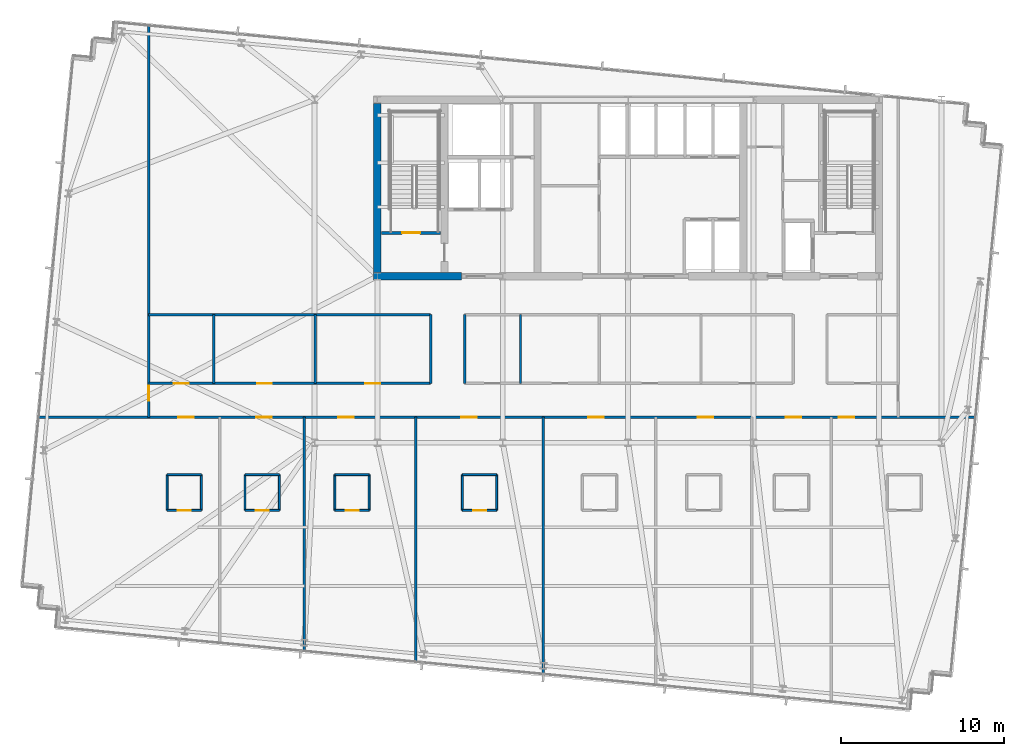
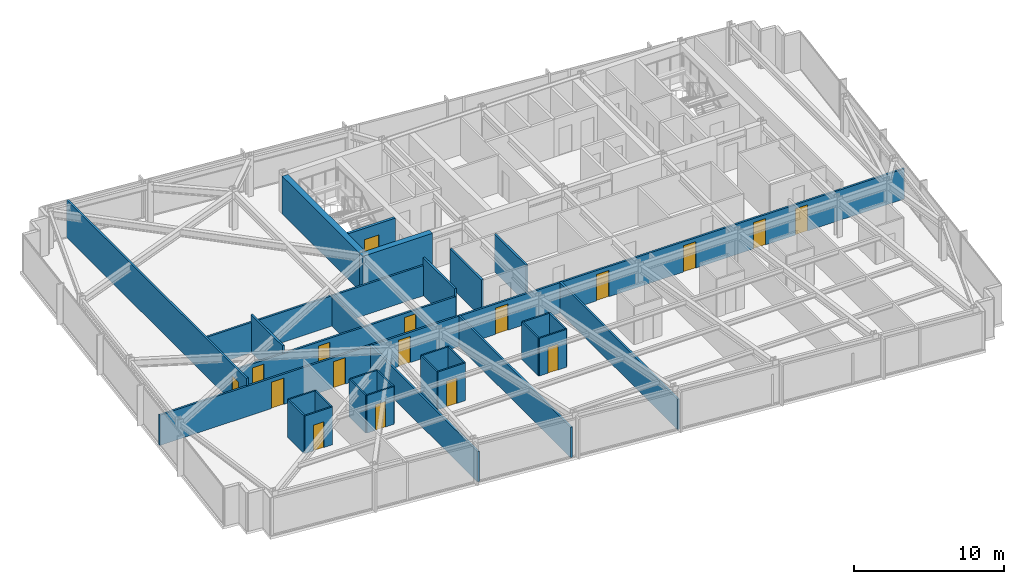
# One storey, part 29 of 37: 31 walls, 17 doors, 17 openings.
"""IFC4 building model written with IfcOpenShell, lengths in metres."""

from ifc_helpers import new_model, si_unit, direction, frame, frame_2d, origin, place, context, subcontext, project, spatial, rectangle, extrude, material, layer, layer_set, type_object, element, fill, save


model = new_model("IFC4")

# Units and contexts
model_context = context("Model", 3, precision=1e-05, world=origin(), true_north=direction((0.0, 1.0)))
body_context = subcontext(model_context, "Body", "Model", "MODEL_VIEW")
ifc_project = project(units=[si_unit("LENGTHUNIT", "METRE"), si_unit("AREAUNIT", "SQUARE_METRE"), si_unit("VOLUMEUNIT", "CUBIC_METRE"), si_unit("PLANEANGLEUNIT", "RADIAN"), si_unit("MASSUNIT", "GRAM", prefix="KILO")], contexts=[model_context])

# Site, building, storey
site_placement = place(None, origin())
site = spatial("IfcSite", under=ifc_project, at=site_placement, CompositionType="ELEMENT")
building_placement = place(site_placement, origin())
building = spatial("IfcBuilding", under=site, at=building_placement, Name="Yelkora Congress Tower", CompositionType="ELEMENT")
storey_placement = place(building_placement, frame((0.0, 0.0, 175.39990234375)))
storey = spatial("IfcBuildingStorey", under=building, at=storey_placement, Name="L48", CompositionType="ELEMENT", Elevation=175.39990234375)

# Walls
ifc_material_1 = material(Name="Concrete C60/75", Category="concrete")
ifc_layer_1 = layer(ifc_material_1, 0.449951171875)
ifc_layer_set_1 = layer_set([ifc_layer_1], Name="Concrete C60/75")
wall_type_1 = type_object("IfcWallType", Name="WALL-CORE-INT-450", PredefinedType="SHEAR", material=ifc_layer_set_1)
wall_1_placement = place(storey_placement, frame((22.81494140625, 35.39990234375, 0.0), z_axis=(0.0, 0.0, 1.0), x_axis=(1.0, 0.0, 0.0)))
element("IfcWall", 1, at=wall_1_placement, inside=storey, type_object=wall_type_1, Name="L48 Rear Core South-West Shear Wall", PredefinedType="SHEAR", context=body_context, shape_type="SweptSolid", body=[
    extrude(rectangle(XDim=5.385009765625, YDim=0.449951171875, at=frame_2d((2.6923828125, 0.0))), origin(), (0.0, 0.0, 1.0), 3.080078125),
])
wall_2_placement = place(storey_placement, frame((23.0400390625, 35.625, 0.0), z_axis=(0.0, 0.0, 1.0), x_axis=(0.0, 1.0, 0.0)))
element("IfcWall", 2, at=wall_2_placement, inside=storey, type_object=wall_type_1, Name="L48 Rear Core Cross Shear Wall W", PredefinedType="SHEAR", context=body_context, shape_type="SweptSolid", body=[
    extrude(rectangle(XDim=10.35009765625, YDim=0.449951171875, at=frame_2d((5.175048828125, 0.0))), origin(), (0.0, 0.0, 1.0), 3.080078125),
])
ifc_material_2 = material(Name="Moisture-resistant gypsum partition", Category="gypsum")
ifc_layer_2 = layer(ifc_material_2, 0.1201171875)
ifc_layer_set_2 = layer_set([ifc_layer_2], Name="Moisture-resistant gypsum partition")
wall_type_2 = type_object("IfcWallType", Name="WALL-INT-120-NR", PredefinedType="PARTITIONING", material=ifc_layer_set_2)
wall_3_placement = place(storey_placement, frame((10.1630859375, 23.25, 0.0), z_axis=(0.0, 0.0, 1.0), x_axis=(1.0, 0.0, 0.0)))
element("IfcWall", 3, at=wall_3_placement, inside=storey, type_object=wall_type_2, Name="L48 Partition Wall 27", PredefinedType="PARTITIONING", context=body_context, shape_type="SweptSolid", body=[
    extrude(rectangle(XDim=2.099853515625, YDim=0.1201171875, at=frame_2d((1.0498046875, 0.0))), origin(), (0.0, 0.0, 1.0), 3.080078125),
])
for number, where, z_axis, x_axis, name in (
    (4, (10.1630859375, 21.050048828125, 0.0), (0.0, 0.0, 1.0), (0.0, 1.0, 0.0), "L48 Partition Wall 28"),
    (5, (12.262939453125, 21.050048828125, 0.0), (0.0, 0.0, 1.0), (0.0, 1.0, 0.0), "L48 Partition Wall 29"),
):
    element("IfcWall", number, at=place(storey_placement, frame(where, z_axis=z_axis, x_axis=x_axis)), inside=storey, type_object=wall_type_2, Name=name, PredefinedType="PARTITIONING", context=body_context, shape_type="SweptSolid", body=[
        extrude(rectangle(XDim=2.199951171875, YDim=0.1201171875, at=frame_2d((1.10009765625, 0.0))), origin(), (0.0, 0.0, 1.0), 3.080078125),
    ])

# Wall, opening, door
wall_4_placement = place(storey_placement, frame((10.1630859375, 21.050048828125, 0.0), z_axis=(0.0, 0.0, 1.0), x_axis=(1.0, 0.0, 0.0)))
wall_4 = element("IfcWall", 6, at=wall_4_placement, inside=storey, type_object=wall_type_2, Name="L48 Partition Wall 30", PredefinedType="PARTITIONING", context=body_context, shape_type="SweptSolid", body=[
    extrude(rectangle(XDim=2.099853515625, YDim=0.1201171875, at=frame_2d((1.0498046875, 0.0))), origin(), (0.0, 0.0, 1.0), 3.080078125),
])
opening_1_placement = place(wall_4_placement, frame((0.64990234375, 0.0, 0.0)))
opening_1 = element("IfcOpeningElement", 7, at=opening_1_placement, cuts=wall_4, Name="Opening DR-080B", PredefinedType="OPENING", context=body_context, shape_type="SweptSolid", body=[
    extrude(rectangle(XDim=0.800048828125, YDim=2.10009765625, at=frame_2d((0.39990234375, 1.050048828125))), frame((0.0, 0.070068359375, 0.0), z_axis=(0.0, -1.0, 0.0), x_axis=(1.0, 0.0, 0.0)), (0.0, 0.0, 1.0), 0.14013671875),
])
ifc_material_3 = material(Name="Moisture-sealed en-suite timber door", Category="wood")
door_type_1 = type_object("IfcDoorType", Name="DOOR-BATH-800", OperationType="NOTDEFINED", PredefinedType="DOOR", material=ifc_material_3)
door_1_placement = place(opening_1_placement, origin())
door_1 = element("IfcDoor", 8, at=door_1_placement, inside=storey, type_object=door_type_1, Name="L48 En-suite Door 1", OperationType="SINGLE_SWING_LEFT", OverallHeight=2.10009765625, OverallWidth=0.800048828125, PredefinedType="DOOR", context=body_context, shape_type="SweptSolid", body=[
    extrude(rectangle(XDim=0.800048828125, YDim=2.10009765625, at=frame_2d((0.39990234375, 1.050048828125))), frame((0.0, 0.02490234375, 0.0), z_axis=(0.0, -1.0, 0.0), x_axis=(1.0, 0.0, 0.0)), (0.0, 0.0, 1.0), 0.050048828125),
])
fill(opening_1, door_1)

# Walls
wall_5_placement = place(storey_placement, frame((14.931884765625, 23.25, 0.0), z_axis=(0.0, 0.0, 1.0), x_axis=(1.0, 0.0, 0.0)))
element("IfcWall", 9, at=wall_5_placement, inside=storey, type_object=wall_type_2, Name="L48 Partition Wall 31", PredefinedType="PARTITIONING", context=body_context, shape_type="SweptSolid", body=[
    extrude(rectangle(XDim=2.10009765625, YDim=0.1201171875, at=frame_2d((1.050048828125, 0.0))), origin(), (0.0, 0.0, 1.0), 3.080078125),
])
for number, where, z_axis, x_axis, name in (
    (10, (14.931884765625, 21.050048828125, 0.0), (0.0, 0.0, 1.0), (0.0, 1.0, 0.0), "L48 Partition Wall 32"),
    (11, (17.031982421875, 21.050048828125, 0.0), (0.0, 0.0, 1.0), (0.0, 1.0, 0.0), "L48 Partition Wall 33"),
):
    element("IfcWall", number, at=place(storey_placement, frame(where, z_axis=z_axis, x_axis=x_axis)), inside=storey, type_object=wall_type_2, Name=name, PredefinedType="PARTITIONING", context=body_context, shape_type="SweptSolid", body=[
        extrude(rectangle(XDim=2.199951171875, YDim=0.1201171875, at=frame_2d((1.10009765625, 0.0))), origin(), (0.0, 0.0, 1.0), 3.080078125),
    ])

# Wall, opening, door
wall_6_placement = place(storey_placement, frame((14.931884765625, 21.050048828125, 0.0), z_axis=(0.0, 0.0, 1.0), x_axis=(1.0, 0.0, 0.0)))
wall_6 = element("IfcWall", 12, at=wall_6_placement, inside=storey, type_object=wall_type_2, Name="L48 Partition Wall 34", PredefinedType="PARTITIONING", context=body_context, shape_type="SweptSolid", body=[
    extrude(rectangle(XDim=2.10009765625, YDim=0.1201171875, at=frame_2d((1.050048828125, 0.0))), origin(), (0.0, 0.0, 1.0), 3.080078125),
])
opening_2_placement = place(wall_6_placement, frame((0.64990234375, 0.0, 0.0)))
opening_2 = element("IfcOpeningElement", 13, at=opening_2_placement, cuts=wall_6, Name="Opening DR-080B", PredefinedType="OPENING", context=body_context, shape_type="SweptSolid", body=[
    extrude(rectangle(XDim=0.800048828125, YDim=2.10009765625, at=frame_2d((0.39990234375, 1.050048828125))), frame((0.0, 0.070068359375, 0.0), z_axis=(0.0, -1.0, 0.0), x_axis=(1.0, 0.0, 0.0)), (0.0, 0.0, 1.0), 0.14013671875),
])
door_2_placement = place(opening_2_placement, origin())
door_2 = element("IfcDoor", 14, at=door_2_placement, inside=storey, type_object=door_type_1, Name="L48 En-suite Door 2", OperationType="SINGLE_SWING_RIGHT", OverallHeight=2.10009765625, OverallWidth=0.800048828125, PredefinedType="DOOR", context=body_context, shape_type="SweptSolid", body=[
    extrude(rectangle(XDim=0.800048828125, YDim=2.10009765625, at=frame_2d((0.39990234375, 1.050048828125))), frame((0.0, 0.02490234375, 0.0), z_axis=(0.0, -1.0, 0.0), x_axis=(1.0, 0.0, 0.0)), (0.0, 0.0, 1.0), 0.050048828125),
])
fill(opening_2, door_2)

# Walls
wall_7_placement = place(storey_placement, frame((20.43994140625, 23.25, 0.0), z_axis=(0.0, 0.0, 1.0), x_axis=(1.0, 0.0, 0.0)))
element("IfcWall", 15, at=wall_7_placement, inside=storey, type_object=wall_type_2, Name="L48 Partition Wall 36", PredefinedType="PARTITIONING", context=body_context, shape_type="SweptSolid", body=[
    extrude(rectangle(XDim=2.10009765625, YDim=0.1201171875, at=frame_2d((1.050048828125, 0.0))), origin(), (0.0, 0.0, 1.0), 3.080078125),
])
for number, where, z_axis, x_axis, name in (
    (16, (20.43994140625, 21.050048828125, 0.0), (0.0, 0.0, 1.0), (0.0, 1.0, 0.0), "L48 Partition Wall 37"),
    (17, (22.5400390625, 21.050048828125, 0.0), (0.0, 0.0, 1.0), (0.0, 1.0, 0.0), "L48 Partition Wall 38"),
):
    element("IfcWall", number, at=place(storey_placement, frame(where, z_axis=z_axis, x_axis=x_axis)), inside=storey, type_object=wall_type_2, Name=name, PredefinedType="PARTITIONING", context=body_context, shape_type="SweptSolid", body=[
        extrude(rectangle(XDim=2.199951171875, YDim=0.1201171875, at=frame_2d((1.10009765625, 0.0))), origin(), (0.0, 0.0, 1.0), 3.080078125),
    ])

# Wall, opening, door
wall_8_placement = place(storey_placement, frame((20.43994140625, 21.050048828125, 0.0), z_axis=(0.0, 0.0, 1.0), x_axis=(1.0, 0.0, 0.0)))
wall_8 = element("IfcWall", 18, at=wall_8_placement, inside=storey, type_object=wall_type_2, Name="L48 Partition Wall 39", PredefinedType="PARTITIONING", context=body_context, shape_type="SweptSolid", body=[
    extrude(rectangle(XDim=2.10009765625, YDim=0.1201171875, at=frame_2d((1.050048828125, 0.0))), origin(), (0.0, 0.0, 1.0), 3.080078125),
])
opening_3_placement = place(wall_8_placement, frame((0.64990234375, 0.0, 0.0)))
opening_3 = element("IfcOpeningElement", 19, at=opening_3_placement, cuts=wall_8, Name="Opening DR-080B", PredefinedType="OPENING", context=body_context, shape_type="SweptSolid", body=[
    extrude(rectangle(XDim=0.800048828125, YDim=2.10009765625, at=frame_2d((0.39990234375, 1.050048828125))), frame((0.0, 0.070068359375, 0.0), z_axis=(0.0, -1.0, 0.0), x_axis=(1.0, 0.0, 0.0)), (0.0, 0.0, 1.0), 0.14013671875),
])
door_3_placement = place(opening_3_placement, origin())
door_3 = element("IfcDoor", 20, at=door_3_placement, inside=storey, type_object=door_type_1, Name="L48 En-suite Door 3", OperationType="SINGLE_SWING_LEFT", OverallHeight=2.10009765625, OverallWidth=0.800048828125, PredefinedType="DOOR", context=body_context, shape_type="SweptSolid", body=[
    extrude(rectangle(XDim=0.800048828125, YDim=2.10009765625, at=frame_2d((0.39990234375, 1.050048828125))), frame((0.0, 0.02490234375, 0.0), z_axis=(0.0, -1.0, 0.0), x_axis=(1.0, 0.0, 0.0)), (0.0, 0.0, 1.0), 0.050048828125),
])
fill(opening_3, door_3)

# Walls
wall_9_placement = place(storey_placement, frame((28.25, 23.25, 0.0), z_axis=(0.0, 0.0, 1.0), x_axis=(1.0, 0.0, 0.0)))
element("IfcWall", 21, at=wall_9_placement, inside=storey, type_object=wall_type_2, Name="L48 Partition Wall 41", PredefinedType="PARTITIONING", context=body_context, shape_type="SweptSolid", body=[
    extrude(rectangle(XDim=2.10009765625, YDim=0.1201171875, at=frame_2d((1.050048828125, 0.0))), origin(), (0.0, 0.0, 1.0), 3.080078125),
])
for number, where, z_axis, x_axis, name in (
    (22, (28.25, 21.050048828125, 0.0), (0.0, 0.0, 1.0), (0.0, 1.0, 0.0), "L48 Partition Wall 42"),
    (23, (30.35009765625, 21.050048828125, 0.0), (0.0, 0.0, 1.0), (0.0, 1.0, 0.0), "L48 Partition Wall 43"),
):
    element("IfcWall", number, at=place(storey_placement, frame(where, z_axis=z_axis, x_axis=x_axis)), inside=storey, type_object=wall_type_2, Name=name, PredefinedType="PARTITIONING", context=body_context, shape_type="SweptSolid", body=[
        extrude(rectangle(XDim=2.199951171875, YDim=0.1201171875, at=frame_2d((1.10009765625, 0.0))), origin(), (0.0, 0.0, 1.0), 3.080078125),
    ])

# Wall, opening, door
wall_10_placement = place(storey_placement, frame((28.25, 21.050048828125, 0.0), z_axis=(0.0, 0.0, 1.0), x_axis=(1.0, 0.0, 0.0)))
wall_10 = element("IfcWall", 24, at=wall_10_placement, inside=storey, type_object=wall_type_2, Name="L48 Partition Wall 44", PredefinedType="PARTITIONING", context=body_context, shape_type="SweptSolid", body=[
    extrude(rectangle(XDim=2.10009765625, YDim=0.1201171875, at=frame_2d((1.050048828125, 0.0))), origin(), (0.0, 0.0, 1.0), 3.080078125),
])
opening_4_placement = place(wall_10_placement, frame((0.64990234375, 0.0, 0.0)))
opening_4 = element("IfcOpeningElement", 25, at=opening_4_placement, cuts=wall_10, Name="Opening DR-080B", PredefinedType="OPENING", context=body_context, shape_type="SweptSolid", body=[
    extrude(rectangle(XDim=0.800048828125, YDim=2.10009765625, at=frame_2d((0.39990234375, 1.050048828125))), frame((0.0, 0.070068359375, 0.0), z_axis=(0.0, -1.0, 0.0), x_axis=(1.0, 0.0, 0.0)), (0.0, 0.0, 1.0), 0.14013671875),
])
door_4_placement = place(opening_4_placement, origin())
door_4 = element("IfcDoor", 26, at=door_4_placement, inside=storey, type_object=door_type_1, Name="L48 En-suite Door 4", OperationType="SINGLE_SWING_RIGHT", OverallHeight=2.10009765625, OverallWidth=0.800048828125, PredefinedType="DOOR", context=body_context, shape_type="SweptSolid", body=[
    extrude(rectangle(XDim=0.800048828125, YDim=2.10009765625, at=frame_2d((0.39990234375, 1.050048828125))), frame((0.0, 0.02490234375, 0.0), z_axis=(0.0, -1.0, 0.0), x_axis=(1.0, 0.0, 0.0)), (0.0, 0.0, 1.0), 0.050048828125),
])
fill(opening_4, door_4)

ifc_material_4 = material(Name="Acoustic metal-stud gypsum partition", Category="gypsum")
ifc_layer_3 = layer(ifc_material_4, 0.14990234375)
ifc_layer_set_3 = layer_set([ifc_layer_3], Name="Acoustic metal-stud gypsum partition")
wall_type_3 = type_object("IfcWallType", Name="WALL-INT-150-NR", PredefinedType="PARTITIONING", material=ifc_layer_set_3)
wall_11_placement = place(storey_placement, frame((9.029052734375, 26.75, 0.0), z_axis=(0.0, 0.0, 1.0), x_axis=(0.0, 1.0, 0.0)))
wall_11 = element("IfcWall", 27, at=wall_11_placement, inside=storey, type_object=wall_type_3, Name="L48 Partition Wall 67", PredefinedType="PARTITIONING", context=body_context, shape_type="SweptSolid", body=[
    extrude(rectangle(XDim=24.055419921875, YDim=0.14990234375, at=frame_2d((12.02783203125, 0.0))), origin(), (0.0, 0.0, 1.0), 3.080078125),
])
opening_5_placement = place(wall_11_placement, frame((1.030029296875, 0.0, 0.0)))
opening_5 = element("IfcOpeningElement", 28, at=opening_5_placement, cuts=wall_11, Name="Opening DR-090N", PredefinedType="OPENING", context=body_context, shape_type="SweptSolid", body=[
    extrude(rectangle(XDim=0.89990234375, YDim=2.14990234375, at=frame_2d((0.449951171875, 1.074951171875))), frame((0.0, 0.0849609375, 0.0), z_axis=(0.0, -1.0, 0.0), x_axis=(1.0, 0.0, 0.0)), (0.0, 0.0, 1.0), 0.169921875),
])
ifc_material_5 = material(Name="Moisture-resistant laminate door leaf", Category="wood")
door_type_2 = type_object("IfcDoorType", Name="DOOR-INT-900", OperationType="NOTDEFINED", PredefinedType="DOOR", material=ifc_material_5)
door_5_placement = place(opening_5_placement, origin())
door_5 = element("IfcDoor", 29, at=door_5_placement, inside=storey, type_object=door_type_2, Name="L48 W Wing Door", OperationType="SINGLE_SWING_LEFT", OverallHeight=2.14990234375, OverallWidth=0.89990234375, PredefinedType="DOOR", context=body_context, shape_type="SweptSolid", body=[
    extrude(rectangle(XDim=0.89990234375, YDim=2.14990234375, at=frame_2d((0.449951171875, 1.074951171875))), frame((0.0, 0.02490234375, 0.0), z_axis=(0.0, -1.0, 0.0), x_axis=(1.0, 0.0, 0.0)), (0.0, 0.0, 1.0), 0.050048828125),
])
fill(opening_5, door_5)

# Walls
for number, where, z_axis, x_axis, name in (
    (30, (26.300048828125, 28.830078125, 0.0), (0.0, 0.0, 1.0), (0.0, 1.0, 0.0), "L48 Partition Wall 69"),
    (31, (28.3798828125, 28.830078125, 0.0), (0.0, 0.0, 1.0), (0.0, 1.0, 0.0), "L48 Partition Wall 70"),
):
    element("IfcWall", number, at=place(storey_placement, frame(where, z_axis=z_axis, x_axis=x_axis)), inside=storey, type_object=wall_type_3, Name=name, PredefinedType="PARTITIONING", context=body_context, shape_type="SweptSolid", body=[
        extrude(rectangle(XDim=4.219970703125, YDim=0.14990234375, at=frame_2d((2.10986328125, 0.0))), origin(), (0.0, 0.0, 1.0), 3.080078125),
    ])
wall_12_placement = place(storey_placement, frame((9.029052734375, 33.050048828125, 0.0), z_axis=(0.0, 0.0, 1.0), x_axis=(1.0, 0.0, 0.0)))
element("IfcWall", 32, at=wall_12_placement, inside=storey, type_object=wall_type_3, Name="L48 Partition Wall 73", PredefinedType="PARTITIONING", context=body_context, shape_type="SweptSolid", body=[
    extrude(rectangle(XDim=17.27099609375, YDim=0.14990234375, at=frame_2d((8.635498046875, 0.0))), origin(), (0.0, 0.0, 1.0), 2.47509765625),
])
wall_13_placement = place(storey_placement, frame((13.013916015625, 28.830078125, 0.0), z_axis=(0.0, 0.0, 1.0), x_axis=(0.0, 1.0, 0.0)))
element("IfcWall", 33, at=wall_13_placement, inside=storey, type_object=wall_type_3, Name="L48 Partition Wall 76", PredefinedType="PARTITIONING", context=body_context, shape_type="SweptSolid", body=[
    extrude(rectangle(XDim=4.219970703125, YDim=0.14990234375, at=frame_2d((2.10986328125, 0.0))), origin(), (0.0, 0.0, 1.0), 3.080078125),
])
wall_14_placement = place(storey_placement, frame((19.220947265625, 28.830078125, 0.0), z_axis=(0.0, 0.0, 1.0), x_axis=(0.0, 1.0, 0.0)))
element("IfcWall", 34, at=wall_14_placement, inside=storey, type_object=wall_type_3, Name="L48 Partition Wall 77", PredefinedType="PARTITIONING", context=body_context, shape_type="SweptSolid", body=[
    extrude(rectangle(XDim=4.219970703125, YDim=0.14990234375, at=frame_2d((2.10986328125, 0.0))), origin(), (0.0, 0.0, 1.0), 2.47509765625),
])

# Wall, openings, doors
wall_15_placement = place(storey_placement, frame((9.049072265625, 28.830078125, 0.0), z_axis=(0.0, 0.0, 1.0), x_axis=(1.0, 0.0, 0.0)))
wall_15 = element("IfcWall", 35, at=wall_15_placement, inside=storey, type_object=wall_type_3, Name="L48 Partition Wall 78", PredefinedType="PARTITIONING", context=body_context, shape_type="SweptSolid", body=[
    extrude(rectangle(XDim=17.240966796875, YDim=0.14990234375, at=frame_2d((8.62060546875, 0.0))), origin(), (0.0, 0.0, 1.0), 2.47509765625),
])
opening_6_placement = place(wall_15_placement, frame((1.532470703125, 0.0, 0.0)))
opening_6 = element("IfcOpeningElement", 36, at=opening_6_placement, cuts=wall_15, Name="Opening DR-090N", PredefinedType="OPENING", context=body_context, shape_type="SweptSolid", body=[
    extrude(rectangle(XDim=0.89990234375, YDim=2.14990234375, at=frame_2d((0.449951171875, 1.074951171875))), frame((0.0, 0.0849609375, 0.0), z_axis=(0.0, -1.0, 0.0), x_axis=(1.0, 0.0, 0.0)), (0.0, 0.0, 1.0), 0.169921875),
])
opening_7_placement = place(wall_15_placement, frame((6.618408203125, 0.0, 0.0)))
opening_7 = element("IfcOpeningElement", 37, at=opening_7_placement, cuts=wall_15, Name="Opening DR-090N", PredefinedType="OPENING", context=body_context, shape_type="SweptSolid", body=[
    extrude(rectangle(XDim=0.89990234375, YDim=2.14990234375, at=frame_2d((0.449951171875, 1.074951171875))), frame((0.0, 0.0849609375, 0.0), z_axis=(0.0, -1.0, 0.0), x_axis=(1.0, 0.0, 0.0)), (0.0, 0.0, 1.0), 0.169921875),
])
opening_8_placement = place(wall_15_placement, frame((13.256591796875, 0.0, 0.0)))
opening_8 = element("IfcOpeningElement", 38, at=opening_8_placement, cuts=wall_15, Name="Opening DR-090N", PredefinedType="OPENING", context=body_context, shape_type="SweptSolid", body=[
    extrude(rectangle(XDim=0.89990234375, YDim=2.14990234375, at=frame_2d((0.449951171875, 1.074951171875))), frame((0.0, 0.0849609375, 0.0), z_axis=(0.0, -1.0, 0.0), x_axis=(1.0, 0.0, 0.0)), (0.0, 0.0, 1.0), 0.169921875),
])
door_6_placement = place(opening_6_placement, origin())
door_6 = element("IfcDoor", 39, at=door_6_placement, inside=storey, type_object=door_type_2, Name="L48 Housekeeping & Linen Room Door", OperationType="SINGLE_SWING_LEFT", OverallHeight=2.14990234375, OverallWidth=0.89990234375, PredefinedType="DOOR", context=body_context, shape_type="SweptSolid", body=[
    extrude(rectangle(XDim=0.89990234375, YDim=2.14990234375, at=frame_2d((0.449951171875, 1.074951171875))), frame((0.0, 0.02490234375, 0.0), z_axis=(0.0, -1.0, 0.0), x_axis=(1.0, 0.0, 0.0)), (0.0, 0.0, 1.0), 0.050048828125),
])
fill(opening_6, door_6)
door_7_placement = place(opening_7_placement, origin())
door_7 = element("IfcDoor", 40, at=door_7_placement, inside=storey, type_object=door_type_2, Name="L48 Executive Library Door", OperationType="SINGLE_SWING_RIGHT", OverallHeight=2.14990234375, OverallWidth=0.89990234375, PredefinedType="DOOR", context=body_context, shape_type="SweptSolid", body=[
    extrude(rectangle(XDim=0.89990234375, YDim=2.14990234375, at=frame_2d((0.449951171875, 1.074951171875))), frame((0.0, 0.02490234375, 0.0), z_axis=(0.0, -1.0, 0.0), x_axis=(1.0, 0.0, 0.0)), (0.0, 0.0, 1.0), 0.050048828125),
])
fill(opening_7, door_7)
door_8_placement = place(opening_8_placement, origin())
door_8 = element("IfcDoor", 41, at=door_8_placement, inside=storey, type_object=door_type_2, Name="L48 Delegate Kiosk Door", OperationType="SINGLE_SWING_LEFT", OverallHeight=2.14990234375, OverallWidth=0.89990234375, PredefinedType="DOOR", context=body_context, shape_type="SweptSolid", body=[
    extrude(rectangle(XDim=0.89990234375, YDim=2.14990234375, at=frame_2d((0.449951171875, 1.074951171875))), frame((0.0, 0.02490234375, 0.0), z_axis=(0.0, -1.0, 0.0), x_axis=(1.0, 0.0, 0.0)), (0.0, 0.0, 1.0), 0.050048828125),
])
fill(opening_8, door_8)

# Walls
wall_16_placement = place(storey_placement, frame((31.806884765625, 28.830078125, 0.0), z_axis=(0.0, 0.0, 1.0), x_axis=(0.0, 1.0, 0.0)))
element("IfcWall", 42, at=wall_16_placement, inside=storey, type_object=wall_type_3, Name="L48 Partition Wall 79", PredefinedType="PARTITIONING", context=body_context, shape_type="SweptSolid", body=[
    extrude(rectangle(XDim=4.219970703125, YDim=0.14990234375, at=frame_2d((2.10986328125, 0.0))), origin(), (0.0, 0.0, 1.0), 3.080078125),
])
ifc_material_6 = material(Name="Twin-stud fire-rated gypsum partition", Category="gypsum")
ifc_layer_4 = layer(ifc_material_6, 0.14990234375)
ifc_layer_set_4 = layer_set([ifc_layer_4], Name="Twin-stud fire-rated gypsum partition")
wall_type_4 = type_object("IfcWallType", Name="WALL-INT-150-R60", PredefinedType="PARTITIONING", material=ifc_layer_set_4)
wall_17_placement = place(storey_placement, frame((18.56591796875, 12.374267578125, 0.0), z_axis=(0.0, 0.0, 1.0), x_axis=(0.0, 1.0, 0.0)))
element("IfcWall", 43, at=wall_17_placement, inside=storey, type_object=wall_type_4, Name="L48 Partition Wall 40", PredefinedType="PARTITIONING", context=body_context, shape_type="SweptSolid", body=[
    extrude(rectangle(XDim=14.395751953125, YDim=0.14990234375, at=frame_2d((7.19775390625, 0.0))), origin(), (0.0, 0.0, 1.0), 2.47509765625),
])
wall_18_placement = place(storey_placement, frame((25.387939453125, 11.71728515625, 0.0), z_axis=(0.0, 0.0, 1.0), x_axis=(0.0, 1.0, 0.0)))
element("IfcWall", 44, at=wall_18_placement, inside=storey, type_object=wall_type_4, Name="L48 Partition Wall 45", PredefinedType="PARTITIONING", context=body_context, shape_type="SweptSolid", body=[
    extrude(rectangle(XDim=15.052734375, YDim=0.14990234375, at=frame_2d((7.5263671875, 0.0))), origin(), (0.0, 0.0, 1.0), 2.47509765625),
])
wall_19_placement = place(storey_placement, frame((33.2119140625, 10.964111328125, 0.0), z_axis=(0.0, 0.0, 1.0), x_axis=(0.0, 1.0, 0.0)))
element("IfcWall", 45, at=wall_19_placement, inside=storey, type_object=wall_type_4, Name="L48 Partition Wall 50", PredefinedType="PARTITIONING", context=body_context, shape_type="SweptSolid", body=[
    extrude(rectangle(XDim=15.805908203125, YDim=0.14990234375, at=frame_2d((7.90283203125, 0.0))), origin(), (0.0, 0.0, 1.0), 2.47509765625),
])

# Wall, openings, doors
wall_20_placement = place(storey_placement, frame((2.229248046875, 26.75, 0.0), z_axis=(0.0, 0.0, 1.0), x_axis=(1.0, 0.0, 0.0)))
wall_20 = element("IfcWall", 46, at=wall_20_placement, inside=storey, type_object=wall_type_4, Name="L48 South Spine Wall", PredefinedType="PARTITIONING", context=body_context, shape_type="SweptSolid", body=[
    extrude(rectangle(XDim=57.504638671875, YDim=0.14990234375, at=frame_2d((28.75244140625, 0.0))), origin(), (0.0, 0.0, 1.0), 2.47509765625),
])
opening_9_placement = place(wall_20_placement, frame((8.624267578125, 0.0, 0.0)))
opening_9 = element("IfcOpeningElement", 47, at=opening_9_placement, cuts=wall_20, Name="Opening DR-095F6", PredefinedType="OPENING", context=body_context, shape_type="SweptSolid", body=[
    extrude(rectangle(XDim=0.949951171875, YDim=2.14990234375, at=frame_2d((0.47509765625, 1.074951171875))), frame((0.0, 0.0849609375, 0.0), z_axis=(0.0, -1.0, 0.0), x_axis=(1.0, 0.0, 0.0)), (0.0, 0.0, 1.0), 0.169921875),
])
opening_10_placement = place(wall_20_placement, frame((13.392822265625, 0.0, 0.0)))
opening_10 = element("IfcOpeningElement", 48, at=opening_10_placement, cuts=wall_20, Name="Opening DR-095F6", PredefinedType="OPENING", context=body_context, shape_type="SweptSolid", body=[
    extrude(rectangle(XDim=0.949951171875, YDim=2.14990234375, at=frame_2d((0.47509765625, 1.074951171875))), frame((0.0, 0.0849609375, 0.0), z_axis=(0.0, -1.0, 0.0), x_axis=(1.0, 0.0, 0.0)), (0.0, 0.0, 1.0), 0.169921875),
])
opening_11_placement = place(wall_20_placement, frame((18.412353515625, 0.0, 0.0)))
opening_11 = element("IfcOpeningElement", 49, at=opening_11_placement, cuts=wall_20, Name="Opening DR-095F6", PredefinedType="OPENING", context=body_context, shape_type="SweptSolid", body=[
    extrude(rectangle(XDim=0.949951171875, YDim=2.14990234375, at=frame_2d((0.47509765625, 1.074951171875))), frame((0.0, 0.0849609375, 0.0), z_axis=(0.0, -1.0, 0.0), x_axis=(1.0, 0.0, 0.0)), (0.0, 0.0, 1.0), 0.169921875),
])
opening_12_placement = place(wall_20_placement, frame((25.935302734375, 0.0, 0.0)))
opening_12 = element("IfcOpeningElement", 50, at=opening_12_placement, cuts=wall_20, Name="Opening DR-095F6", PredefinedType="OPENING", context=body_context, shape_type="SweptSolid", body=[
    extrude(rectangle(XDim=0.949951171875, YDim=2.14990234375, at=frame_2d((0.47509765625, 1.074951171875))), frame((0.0, 0.0849609375, 0.0), z_axis=(0.0, -1.0, 0.0), x_axis=(1.0, 0.0, 0.0)), (0.0, 0.0, 1.0), 0.169921875),
])
opening_13_placement = place(wall_20_placement, frame((33.733154296875, 0.0, 0.0)))
opening_13 = element("IfcOpeningElement", 51, at=opening_13_placement, cuts=wall_20, Name="Opening DR-095F6", PredefinedType="OPENING", context=body_context, shape_type="SweptSolid", body=[
    extrude(rectangle(XDim=0.949951171875, YDim=2.14990234375, at=frame_2d((0.47509765625, 1.074951171875))), frame((0.0, 0.0849609375, 0.0), z_axis=(0.0, -1.0, 0.0), x_axis=(1.0, 0.0, 0.0)), (0.0, 0.0, 1.0), 0.169921875),
])
opening_14_placement = place(wall_20_placement, frame((40.44140625, 0.0, 0.0)))
opening_14 = element("IfcOpeningElement", 52, at=opening_14_placement, cuts=wall_20, Name="Opening DR-095F6", PredefinedType="OPENING", context=body_context, shape_type="SweptSolid", body=[
    extrude(rectangle(XDim=0.949951171875, YDim=2.14990234375, at=frame_2d((0.47509765625, 1.074951171875))), frame((0.0, 0.0849609375, 0.0), z_axis=(0.0, -1.0, 0.0), x_axis=(1.0, 0.0, 0.0)), (0.0, 0.0, 1.0), 0.169921875),
])
opening_15_placement = place(wall_20_placement, frame((45.822265625, 0.0, 0.0)))
opening_15 = element("IfcOpeningElement", 53, at=opening_15_placement, cuts=wall_20, Name="Opening DR-095F6", PredefinedType="OPENING", context=body_context, shape_type="SweptSolid", body=[
    extrude(rectangle(XDim=0.949951171875, YDim=2.14990234375, at=frame_2d((0.47509765625, 1.074951171875))), frame((0.0, 0.0849609375, 0.0), z_axis=(0.0, -1.0, 0.0), x_axis=(1.0, 0.0, 0.0)), (0.0, 0.0, 1.0), 0.169921875),
])
opening_16_placement = place(wall_20_placement, frame((49.07275390625, 0.0, 0.0)))
opening_16 = element("IfcOpeningElement", 54, at=opening_16_placement, cuts=wall_20, Name="Opening DR-095F6", PredefinedType="OPENING", context=body_context, shape_type="SweptSolid", body=[
    extrude(rectangle(XDim=0.949951171875, YDim=2.14990234375, at=frame_2d((0.47509765625, 1.074951171875))), frame((0.0, 0.0849609375, 0.0), z_axis=(0.0, -1.0, 0.0), x_axis=(1.0, 0.0, 0.0)), (0.0, 0.0, 1.0), 0.169921875),
])
ifc_material_7 = material(Name="Acoustic oak-veneer fire door leaf", Category="wood")
door_type_3 = type_object("IfcDoorType", Name="DOOR-FD60-950", OperationType="NOTDEFINED", PredefinedType="DOOR", material=ifc_material_7)
door_9_placement = place(opening_9_placement, origin())
door_9 = element("IfcDoor", 55, at=door_9_placement, inside=storey, type_object=door_type_3, Name="L48 Diplomatic Suite 01 Entry Door", OperationType="SINGLE_SWING_LEFT", OverallHeight=2.14990234375, OverallWidth=0.949951171875, PredefinedType="DOOR", context=body_context, shape_type="SweptSolid", body=[
    extrude(rectangle(XDim=0.949951171875, YDim=2.14990234375, at=frame_2d((0.47509765625, 1.074951171875))), frame((0.0, 0.02490234375, 0.0), z_axis=(0.0, -1.0, 0.0), x_axis=(1.0, 0.0, 0.0)), (0.0, 0.0, 1.0), 0.050048828125),
])
fill(opening_9, door_9)
door_10_placement = place(opening_10_placement, origin())
door_10 = element("IfcDoor", 56, at=door_10_placement, inside=storey, type_object=door_type_3, Name="L48 Diplomatic Suite 02 Entry Door", OperationType="SINGLE_SWING_RIGHT", OverallHeight=2.14990234375, OverallWidth=0.949951171875, PredefinedType="DOOR", context=body_context, shape_type="SweptSolid", body=[
    extrude(rectangle(XDim=0.949951171875, YDim=2.14990234375, at=frame_2d((0.47509765625, 1.074951171875))), frame((0.0, 0.02490234375, 0.0), z_axis=(0.0, -1.0, 0.0), x_axis=(1.0, 0.0, 0.0)), (0.0, 0.0, 1.0), 0.050048828125),
])
fill(opening_10, door_10)
door_11_placement = place(opening_11_placement, origin())
door_11 = element("IfcDoor", 57, at=door_11_placement, inside=storey, type_object=door_type_3, Name="L48 Diplomatic Suite 03 Entry Door", OperationType="SINGLE_SWING_LEFT", OverallHeight=2.14990234375, OverallWidth=0.949951171875, PredefinedType="DOOR", context=body_context, shape_type="SweptSolid", body=[
    extrude(rectangle(XDim=0.949951171875, YDim=2.14990234375, at=frame_2d((0.47509765625, 1.074951171875))), frame((0.0, 0.02490234375, 0.0), z_axis=(0.0, -1.0, 0.0), x_axis=(1.0, 0.0, 0.0)), (0.0, 0.0, 1.0), 0.050048828125),
])
fill(opening_11, door_11)
door_12_placement = place(opening_12_placement, origin())
door_12 = element("IfcDoor", 58, at=door_12_placement, inside=storey, type_object=door_type_3, Name="L48 Diplomatic Suite 04 Entry Door", OperationType="SINGLE_SWING_RIGHT", OverallHeight=2.14990234375, OverallWidth=0.949951171875, PredefinedType="DOOR", context=body_context, shape_type="SweptSolid", body=[
    extrude(rectangle(XDim=0.949951171875, YDim=2.14990234375, at=frame_2d((0.47509765625, 1.074951171875))), frame((0.0, 0.02490234375, 0.0), z_axis=(0.0, -1.0, 0.0), x_axis=(1.0, 0.0, 0.0)), (0.0, 0.0, 1.0), 0.050048828125),
])
fill(opening_12, door_12)
door_13_placement = place(opening_13_placement, origin())
door_13 = element("IfcDoor", 59, at=door_13_placement, inside=storey, type_object=door_type_3, Name="L48 Diplomatic Suite 05 Entry Door", OperationType="SINGLE_SWING_LEFT", OverallHeight=2.14990234375, OverallWidth=0.949951171875, PredefinedType="DOOR", context=body_context, shape_type="SweptSolid", body=[
    extrude(rectangle(XDim=0.949951171875, YDim=2.14990234375, at=frame_2d((0.47509765625, 1.074951171875))), frame((0.0, 0.02490234375, 0.0), z_axis=(0.0, -1.0, 0.0), x_axis=(1.0, 0.0, 0.0)), (0.0, 0.0, 1.0), 0.050048828125),
])
fill(opening_13, door_13)
door_14_placement = place(opening_14_placement, origin())
door_14 = element("IfcDoor", 60, at=door_14_placement, inside=storey, type_object=door_type_3, Name="L48 Diplomatic Suite 06 Entry Door", OperationType="SINGLE_SWING_RIGHT", OverallHeight=2.14990234375, OverallWidth=0.949951171875, PredefinedType="DOOR", context=body_context, shape_type="SweptSolid", body=[
    extrude(rectangle(XDim=0.949951171875, YDim=2.14990234375, at=frame_2d((0.47509765625, 1.074951171875))), frame((0.0, 0.02490234375, 0.0), z_axis=(0.0, -1.0, 0.0), x_axis=(1.0, 0.0, 0.0)), (0.0, 0.0, 1.0), 0.050048828125),
])
fill(opening_14, door_14)
door_15_placement = place(opening_15_placement, origin())
door_15 = element("IfcDoor", 61, at=door_15_placement, inside=storey, type_object=door_type_3, Name="L48 Diplomatic Suite 07 Entry Door", OperationType="SINGLE_SWING_LEFT", OverallHeight=2.14990234375, OverallWidth=0.949951171875, PredefinedType="DOOR", context=body_context, shape_type="SweptSolid", body=[
    extrude(rectangle(XDim=0.949951171875, YDim=2.14990234375, at=frame_2d((0.47509765625, 1.074951171875))), frame((0.0, 0.02490234375, 0.0), z_axis=(0.0, -1.0, 0.0), x_axis=(1.0, 0.0, 0.0)), (0.0, 0.0, 1.0), 0.050048828125),
])
fill(opening_15, door_15)
door_16_placement = place(opening_16_placement, origin())
door_16 = element("IfcDoor", 62, at=door_16_placement, inside=storey, type_object=door_type_3, Name="L48 Diplomatic Suite 08 Entry Door", OperationType="SINGLE_SWING_RIGHT", OverallHeight=2.14990234375, OverallWidth=0.949951171875, PredefinedType="DOOR", context=body_context, shape_type="SweptSolid", body=[
    extrude(rectangle(XDim=0.949951171875, YDim=2.14990234375, at=frame_2d((0.47509765625, 1.074951171875))), frame((0.0, 0.02490234375, 0.0), z_axis=(0.0, -1.0, 0.0), x_axis=(1.0, 0.0, 0.0)), (0.0, 0.0, 1.0), 0.050048828125),
])
fill(opening_16, door_16)

# Wall, opening, door
ifc_material_8 = material(Name="Autoclaved aerated concrete blockwork", Category="masonry")
ifc_layer_5 = layer(ifc_material_8, 0.199951171875)
ifc_layer_set_5 = layer_set([ifc_layer_5], Name="Autoclaved aerated concrete blockwork")
wall_type_5 = type_object("IfcWallType", Name="WALL-INT-200-R120", PredefinedType="PARTITIONING", material=ifc_layer_set_5)
wall_21_placement = place(storey_placement, frame((23.300048828125, 38.050048828125, 0.0), z_axis=(0.0, 0.0, 1.0), x_axis=(1.0, 0.0, 0.0)))
wall_21 = element("IfcWall", 63, at=wall_21_placement, inside=storey, type_object=wall_type_5, Name="L48 Stair ST-01 Enclosure Wall", PredefinedType="PARTITIONING", context=body_context, shape_type="SweptSolid", body=[
    extrude(rectangle(XDim=3.619873046875, YDim=0.199951171875, at=frame_2d((1.81005859375, 0.0))), origin(), (0.0, 0.0, 1.0), 3.080078125),
])
opening_17_placement = place(wall_21_placement, frame((1.260009765625, 0.0, 0.0)))
opening_17 = element("IfcOpeningElement", 64, at=opening_17_placement, cuts=wall_21, Name="Opening DR-110F9", PredefinedType="OPENING", context=body_context, shape_type="SweptSolid", body=[
    extrude(rectangle(XDim=1.10009765625, YDim=2.14990234375, at=frame_2d((0.550048828125, 1.074951171875))), frame((0.0, 0.10986328125, 0.0), z_axis=(0.0, -1.0, 0.0), x_axis=(1.0, 0.0, 0.0)), (0.0, 0.0, 1.0), 0.219970703125),
])
ifc_material_9 = material(Name="Galvanised steel fire door leaf", Category="steel")
door_type_4 = type_object("IfcDoorType", Name="DOOR-FD90-1100", OperationType="NOTDEFINED", PredefinedType="DOOR", material=ifc_material_9)
door_17_placement = place(opening_17_placement, origin())
door_17 = element("IfcDoor", 65, at=door_17_placement, inside=storey, type_object=door_type_4, Name="L48 Stair ST-01 Entry Door", OperationType="SINGLE_SWING_LEFT", OverallHeight=2.14990234375, OverallWidth=1.10009765625, PredefinedType="DOOR", context=body_context, shape_type="SweptSolid", body=[
    extrude(rectangle(XDim=1.10009765625, YDim=2.14990234375, at=frame_2d((0.550048828125, 1.074951171875))), frame((0.0, 0.02490234375, 0.0), z_axis=(0.0, -1.0, 0.0), x_axis=(1.0, 0.0, 0.0)), (0.0, 0.0, 1.0), 0.050048828125),
])
fill(opening_17, door_17)

save(model, "model.ifc")
